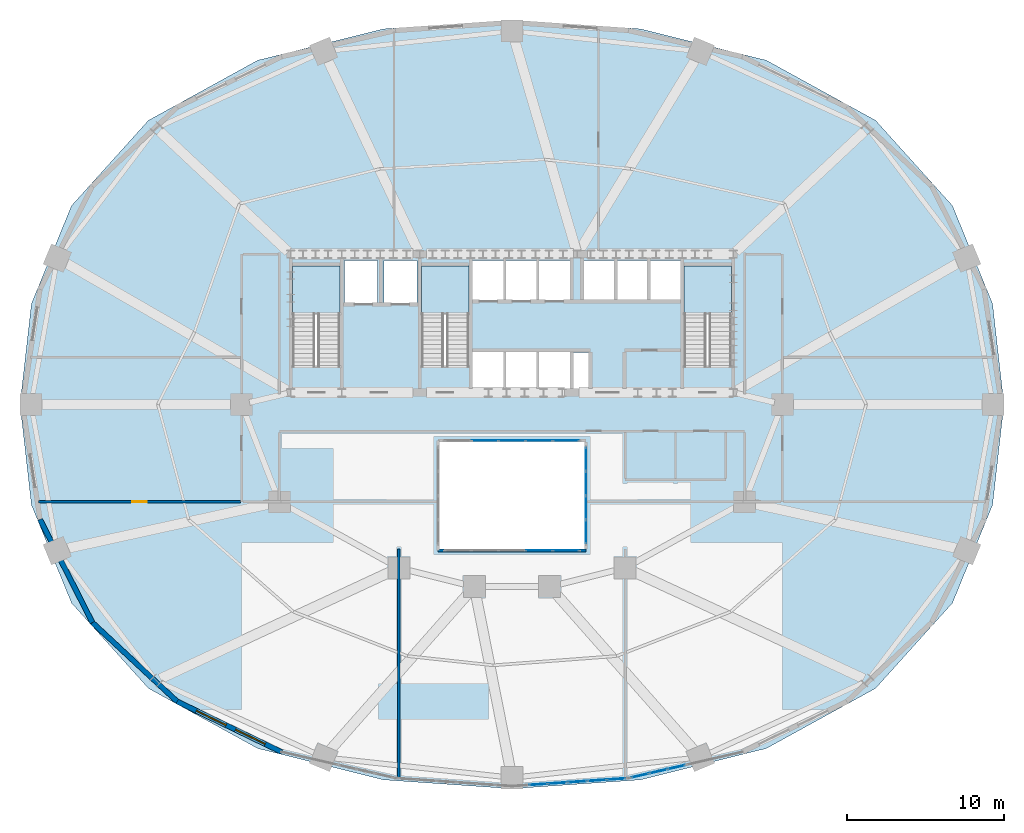
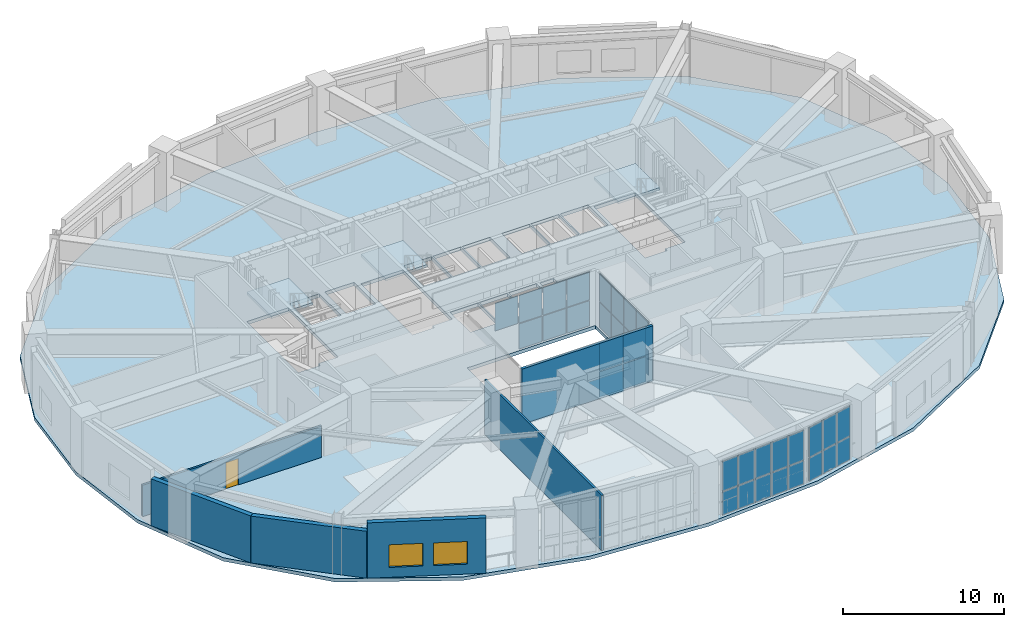
# One storey, part 8 of 13: 35 plates, 6 walls, 4 slabs, 2 windows, 1 door, 3 openings, 8 elements without a shape of their own.
"""IFC4 building model written with IfcOpenShell, lengths in metres."""

from ifc_helpers import new_model, si_unit, direction, frame, frame_2d, origin, origin_2d, place, context, subcontext, project, spatial, polyline, rectangle, outline, extrude, material, layer, layer_set, type_object, element, fill, aggregate, save


model = new_model("IFC4")

# Units and contexts
model_context = context("Model", 3, precision=1e-05, world=origin(), true_north=direction((0.0, 1.0)))
body_context = subcontext(model_context, "Body", "Model", "MODEL_VIEW")
ifc_project = project(units=[si_unit("LENGTHUNIT", "METRE"), si_unit("AREAUNIT", "SQUARE_METRE"), si_unit("VOLUMEUNIT", "CUBIC_METRE"), si_unit("PLANEANGLEUNIT", "RADIAN"), si_unit("MASSUNIT", "GRAM", prefix="KILO")], contexts=[model_context])

# Site, building, storey
site_placement = place(None, origin())
site = spatial("IfcSite", under=ifc_project, at=site_placement, CompositionType="ELEMENT")
building_placement = place(site_placement, origin())
building = spatial("IfcBuilding", under=site, at=building_placement, Name="Haldorwick Loom Tower", CompositionType="ELEMENT")
storey_placement = place(building_placement, frame((0.0, 0.0, 72.300048828125)))
storey = spatial("IfcBuildingStorey", under=building, at=storey_placement, Name="L19", CompositionType="ELEMENT", Elevation=72.300048828125)

# Curtain wall, plates
ifc_material_1 = material(Name="Thermally Broken Anodized Aluminium Curtain Wall Framing", Category="aluminium")
curtain_wall_type_1 = type_object("IfcCurtainWallType", Name="ARC-CW-03", PredefinedType="NOTDEFINED", material=ifc_material_1)
curtain_wall_1_placement = place(storey_placement, origin())
curtain_wall_1 = element("IfcCurtainWall", 1, at=curtain_wall_1_placement, inside=storey, type_object=curtain_wall_type_1, Name="L19 Atrium Glazed Screen S", PredefinedType="NOTDEFINED")
ifc_material_2 = material(Name="Triple-Glazed Low-E Argon Insulated Glazing Unit", Category="glass")
ifc_layer_1 = layer(ifc_material_2, 0.04296875, Name="Triple-Glazed Low-E Argon Insulated Glazing Unit", Category="glass")
ifc_layer_set_1 = layer_set([ifc_layer_1], Name="Triple-Glazed Low-E Argon Insulated Glazing Unit")
plate_type_1 = type_object("IfcPlateType", Name="ARC-CWP-03", PredefinedType="CURTAIN_PANEL", material=ifc_layer_set_1)
plate_1_placement = place(storey_placement, frame((39.423583984375, 16.699951171875, 0.06591796875), z_axis=(0.0, 0.0, 1.0), x_axis=(-1.0, 0.0, 0.0)))
plate_1 = element("IfcPlate", 2, at=plate_1_placement, type_object=plate_type_1, Name="CW-03 panel 1.1", PredefinedType="CURTAIN_PANEL", context=body_context, shape_type="SweptSolid", body=[
    extrude(rectangle(XDim=1.62109375, YDim=0.04296875, at=origin_2d()), origin(), (0.0, 0.0, 1.0), 1.90087890625),
])
plate_2_placement = place(storey_placement, frame((39.423583984375, 16.699951171875, 2.032958984375), z_axis=(0.0, 0.0, 1.0), x_axis=(-1.0, 0.0, 0.0)))
plate_2 = element("IfcPlate", 3, at=plate_2_placement, type_object=plate_type_1, Name="CW-03 panel 1.2", PredefinedType="CURTAIN_PANEL", context=body_context, shape_type="SweptSolid", body=[
    extrude(rectangle(XDim=1.62109375, YDim=0.04296875, at=origin_2d()), origin(), (0.0, 0.0, 1.0), 2.10107421875),
])
plate_3_placement = place(storey_placement, frame((37.719970703125, 16.699951171875, 0.06591796875), z_axis=(0.0, 0.0, 1.0), x_axis=(-1.0, 0.0, 0.0)))
plate_3 = element("IfcPlate", 4, at=plate_3_placement, type_object=plate_type_1, Name="CW-03 panel 2.1", PredefinedType="CURTAIN_PANEL", context=body_context, shape_type="SweptSolid", body=[
    extrude(rectangle(XDim=1.654052734375, YDim=0.04296875, at=origin_2d()), origin(), (0.0, 0.0, 1.0), 1.90087890625),
])
plate_4_placement = place(storey_placement, frame((37.719970703125, 16.699951171875, 2.032958984375), z_axis=(0.0, 0.0, 1.0), x_axis=(-1.0, 0.0, 0.0)))
plate_4 = element("IfcPlate", 5, at=plate_4_placement, type_object=plate_type_1, Name="CW-03 panel 2.2", PredefinedType="CURTAIN_PANEL", context=body_context, shape_type="SweptSolid", body=[
    extrude(rectangle(XDim=1.654052734375, YDim=0.04296875, at=origin_2d()), origin(), (0.0, 0.0, 1.0), 2.10107421875),
])
aggregate(curtain_wall_1, [plate_1, plate_2, plate_3, plate_4])

curtain_wall_2_placement = place(storey_placement, origin())
curtain_wall_2 = element("IfcCurtainWall", 6, at=curtain_wall_2_placement, inside=storey, type_object=curtain_wall_type_1, Name="L19 Atrium Glazed Screen N", PredefinedType="NOTDEFINED")
plate_5_placement = place(storey_placement, frame((34.280029296875, 23.699951171875, 2.032958984375), z_axis=(0.0, 0.0, 1.0), x_axis=(1.0, 0.0, 0.0)))
plate_5 = element("IfcPlate", 7, at=plate_5_placement, type_object=plate_type_1, Name="CW-03 panel 2.2", PredefinedType="CURTAIN_PANEL", context=body_context, shape_type="SweptSolid", body=[
    extrude(rectangle(XDim=1.654052734375, YDim=0.04296875, at=origin_2d()), origin(), (0.0, 0.0, 1.0), 2.10107421875),
])
plate_6_placement = place(storey_placement, frame((36.0, 23.699951171875, 0.06591796875), z_axis=(0.0, 0.0, 1.0), x_axis=(1.0, 0.0, 0.0)))
plate_6 = element("IfcPlate", 8, at=plate_6_placement, type_object=plate_type_1, Name="CW-03 panel 3.1", PredefinedType="CURTAIN_PANEL", context=body_context, shape_type="SweptSolid", body=[
    extrude(rectangle(XDim=1.654052734375, YDim=0.04296875, at=origin_2d()), origin(), (0.0, 0.0, 1.0), 1.90087890625),
])
plate_7_placement = place(storey_placement, frame((36.0, 23.699951171875, 2.032958984375), z_axis=(0.0, 0.0, 1.0), x_axis=(1.0, 0.0, 0.0)))
plate_7 = element("IfcPlate", 9, at=plate_7_placement, type_object=plate_type_1, Name="CW-03 panel 3.2", PredefinedType="CURTAIN_PANEL", context=body_context, shape_type="SweptSolid", body=[
    extrude(rectangle(XDim=1.654052734375, YDim=0.04296875, at=origin_2d()), origin(), (0.0, 0.0, 1.0), 2.10107421875),
])
plate_8_placement = place(storey_placement, frame((37.719970703125, 23.699951171875, 0.06591796875), z_axis=(0.0, 0.0, 1.0), x_axis=(1.0, 0.0, 0.0)))
plate_8 = element("IfcPlate", 10, at=plate_8_placement, type_object=plate_type_1, Name="CW-03 panel 4.1", PredefinedType="CURTAIN_PANEL", context=body_context, shape_type="SweptSolid", body=[
    extrude(rectangle(XDim=1.654052734375, YDim=0.04296875, at=origin_2d()), origin(), (0.0, 0.0, 1.0), 1.90087890625),
])
plate_9_placement = place(storey_placement, frame((37.719970703125, 23.699951171875, 2.032958984375), z_axis=(0.0, 0.0, 1.0), x_axis=(1.0, 0.0, 0.0)))
plate_9 = element("IfcPlate", 11, at=plate_9_placement, type_object=plate_type_1, Name="CW-03 panel 4.2", PredefinedType="CURTAIN_PANEL", context=body_context, shape_type="SweptSolid", body=[
    extrude(rectangle(XDim=1.654052734375, YDim=0.04296875, at=origin_2d()), origin(), (0.0, 0.0, 1.0), 2.10107421875),
])
plate_10_placement = place(storey_placement, frame((39.423583984375, 23.699951171875, 0.06591796875), z_axis=(0.0, 0.0, 1.0), x_axis=(1.0, 0.0, 0.0)))
plate_10 = element("IfcPlate", 12, at=plate_10_placement, type_object=plate_type_1, Name="CW-03 panel 5.1", PredefinedType="CURTAIN_PANEL", context=body_context, shape_type="SweptSolid", body=[
    extrude(rectangle(XDim=1.62109375, YDim=0.04296875, at=origin_2d()), origin(), (0.0, 0.0, 1.0), 1.90087890625),
])
plate_11_placement = place(storey_placement, frame((39.423583984375, 23.699951171875, 2.032958984375), z_axis=(0.0, 0.0, 1.0), x_axis=(1.0, 0.0, 0.0)))
plate_11 = element("IfcPlate", 13, at=plate_11_placement, type_object=plate_type_1, Name="CW-03 panel 5.2", PredefinedType="CURTAIN_PANEL", context=body_context, shape_type="SweptSolid", body=[
    extrude(rectangle(XDim=1.62109375, YDim=0.04296875, at=origin_2d()), origin(), (0.0, 0.0, 1.0), 2.10107421875),
])
aggregate(curtain_wall_2, [plate_5, plate_6, plate_7, plate_8, plate_9, plate_10, plate_11])

curtain_wall_3_placement = place(storey_placement, origin())
curtain_wall_3 = element("IfcCurtainWall", 14, at=curtain_wall_3_placement, inside=storey, type_object=curtain_wall_type_1, Name="L19 Atrium Glazed Screen E", PredefinedType="NOTDEFINED")
plate_12_placement = place(storey_placement, frame((40.699951171875, 22.508544921875, 0.06591796875), z_axis=(0.0, 0.0, 1.0), x_axis=(0.0, -1.0, 0.0)))
plate_12 = element("IfcPlate", 15, at=plate_12_placement, type_object=plate_type_1, Name="CW-03 panel 1.1", PredefinedType="CURTAIN_PANEL", context=body_context, shape_type="SweptSolid", body=[
    extrude(rectangle(XDim=1.450927734375, YDim=0.04296875, at=origin_2d()), origin(), (0.0, 0.0, 1.0), 1.90087890625),
])
plate_13_placement = place(storey_placement, frame((40.699951171875, 22.508544921875, 2.032958984375), z_axis=(0.0, 0.0, 1.0), x_axis=(0.0, -1.0, 0.0)))
plate_13 = element("IfcPlate", 16, at=plate_13_placement, type_object=plate_type_1, Name="CW-03 panel 1.2", PredefinedType="CURTAIN_PANEL", context=body_context, shape_type="SweptSolid", body=[
    extrude(rectangle(XDim=1.450927734375, YDim=0.04296875, at=origin_2d()), origin(), (0.0, 0.0, 1.0), 2.10107421875),
])
plate_14_placement = place(storey_placement, frame((40.699951171875, 20.97509765625, 0.06591796875), z_axis=(0.0, 0.0, 1.0), x_axis=(0.0, -1.0, 0.0)))
plate_14 = element("IfcPlate", 17, at=plate_14_placement, type_object=plate_type_1, Name="CW-03 panel 2.1", PredefinedType="CURTAIN_PANEL", context=body_context, shape_type="SweptSolid", body=[
    extrude(rectangle(XDim=1.48388671875, YDim=0.04296875, at=origin_2d()), origin(), (0.0, 0.0, 1.0), 1.90087890625),
])
plate_15_placement = place(storey_placement, frame((40.699951171875, 20.97509765625, 2.032958984375), z_axis=(0.0, 0.0, 1.0), x_axis=(0.0, -1.0, 0.0)))
plate_15 = element("IfcPlate", 18, at=plate_15_placement, type_object=plate_type_1, Name="CW-03 panel 2.2", PredefinedType="CURTAIN_PANEL", context=body_context, shape_type="SweptSolid", body=[
    extrude(rectangle(XDim=1.48388671875, YDim=0.04296875, at=origin_2d()), origin(), (0.0, 0.0, 1.0), 2.10107421875),
])
plate_16_placement = place(storey_placement, frame((40.699951171875, 19.425048828125, 0.06591796875), z_axis=(0.0, 0.0, 1.0), x_axis=(0.0, -1.0, 0.0)))
plate_16 = element("IfcPlate", 19, at=plate_16_placement, type_object=plate_type_1, Name="CW-03 panel 3.1", PredefinedType="CURTAIN_PANEL", context=body_context, shape_type="SweptSolid", body=[
    extrude(rectangle(XDim=1.48388671875, YDim=0.04296875, at=origin_2d()), origin(), (0.0, 0.0, 1.0), 1.90087890625),
])
plate_17_placement = place(storey_placement, frame((40.699951171875, 19.425048828125, 2.032958984375), z_axis=(0.0, 0.0, 1.0), x_axis=(0.0, -1.0, 0.0)))
plate_17 = element("IfcPlate", 20, at=plate_17_placement, type_object=plate_type_1, Name="CW-03 panel 3.2", PredefinedType="CURTAIN_PANEL", context=body_context, shape_type="SweptSolid", body=[
    extrude(rectangle(XDim=1.48388671875, YDim=0.04296875, at=origin_2d()), origin(), (0.0, 0.0, 1.0), 2.10107421875),
])
plate_18_placement = place(storey_placement, frame((40.699951171875, 17.8916015625, 0.06591796875), z_axis=(0.0, 0.0, 1.0), x_axis=(0.0, -1.0, 0.0)))
plate_18 = element("IfcPlate", 21, at=plate_18_placement, type_object=plate_type_1, Name="CW-03 panel 4.1", PredefinedType="CURTAIN_PANEL", context=body_context, shape_type="SweptSolid", body=[
    extrude(rectangle(XDim=1.450927734375, YDim=0.04296875, at=origin_2d()), origin(), (0.0, 0.0, 1.0), 1.90087890625),
])
plate_19_placement = place(storey_placement, frame((40.699951171875, 17.8916015625, 2.032958984375), z_axis=(0.0, 0.0, 1.0), x_axis=(0.0, -1.0, 0.0)))
plate_19 = element("IfcPlate", 22, at=plate_19_placement, type_object=plate_type_1, Name="CW-03 panel 4.2", PredefinedType="CURTAIN_PANEL", context=body_context, shape_type="SweptSolid", body=[
    extrude(rectangle(XDim=1.450927734375, YDim=0.04296875, at=origin_2d()), origin(), (0.0, 0.0, 1.0), 2.10107421875),
])
aggregate(curtain_wall_3, [plate_12, plate_13, plate_14, plate_15, plate_16, plate_17, plate_18, plate_19])

curtain_wall_type_2 = type_object("IfcCurtainWallType", Name="ARC-CW-05", PredefinedType="NOTDEFINED", material=ifc_material_1)
curtain_wall_4_placement = place(storey_placement, origin())
curtain_wall_4 = element("IfcCurtainWall", 23, at=curtain_wall_4_placement, inside=storey, type_object=curtain_wall_type_2, Name="L19 Facade Curtain Wall CW-05 Bay 19", PredefinedType="NOTDEFINED")
ifc_layer_2 = layer(ifc_material_2, 0.049072265625, Name="Triple-Glazed Low-E Argon Insulated Glazing Unit", Category="glass")
ifc_layer_set_2 = layer_set([ifc_layer_2], Name="Triple-Glazed Low-E Argon Insulated Glazing Unit")
plate_type_2 = type_object("IfcPlateType", Name="ARC-CWP-05", PredefinedType="CURTAIN_PANEL", material=ifc_layer_set_2)
plate_20_placement = place(storey_placement, frame((37.67529296875, 1.8251953125, 0.06787109375), z_axis=(0.0, 0.0, 1.0), x_axis=(0.997644995128, 0.068589093134, 0.0)))
plate_20 = element("IfcPlate", 24, at=plate_20_placement, type_object=plate_type_2, Name="CW-05 panel 1.1", PredefinedType="CURTAIN_PANEL", context=body_context, shape_type="SweptSolid", body=[
    extrude(rectangle(XDim=1.1484375, YDim=0.049072265625, at=origin_2d()), origin(), (0.0, 0.0, 1.0), 1.748046875),
])
plate_21_placement = place(storey_placement, frame((37.67529296875, 1.8251953125, 1.884033203125), z_axis=(0.0, 0.0, 1.0), x_axis=(0.997644995128, 0.068589093134, 0.0)))
plate_21 = element("IfcPlate", 25, at=plate_21_placement, type_object=plate_type_2, Name="CW-05 panel 1.2", PredefinedType="CURTAIN_PANEL", context=body_context, shape_type="SweptSolid", body=[
    extrude(rectangle(XDim=1.1484375, YDim=0.049072265625, at=origin_2d()), origin(), (0.0, 0.0, 1.0), 2.248046875),
])
plate_22_placement = place(storey_placement, frame((38.90576171875, 1.90966796875, 0.06787109375), z_axis=(0.0, 0.0, 1.0), x_axis=(0.997644995128, 0.068589093134, 0.0)))
plate_22 = element("IfcPlate", 26, at=plate_22_placement, type_object=plate_type_2, Name="CW-05 panel 2.1", PredefinedType="CURTAIN_PANEL", context=body_context, shape_type="SweptSolid", body=[
    extrude(rectangle(XDim=1.182373046875, YDim=0.049072265625, at=origin_2d()), origin(), (0.0, 0.0, 1.0), 1.748046875),
])
plate_23_placement = place(storey_placement, frame((38.90576171875, 1.90966796875, 1.884033203125), z_axis=(0.0, 0.0, 1.0), x_axis=(0.997644995128, 0.068589093134, 0.0)))
plate_23 = element("IfcPlate", 27, at=plate_23_placement, type_object=plate_type_2, Name="CW-05 panel 2.2", PredefinedType="CURTAIN_PANEL", context=body_context, shape_type="SweptSolid", body=[
    extrude(rectangle(XDim=1.182373046875, YDim=0.049072265625, at=origin_2d()), origin(), (0.0, 0.0, 1.0), 2.248046875),
])
plate_24_placement = place(storey_placement, frame((40.153076171875, 1.99560546875, 0.06787109375), z_axis=(0.0, 0.0, 1.0), x_axis=(0.997644995128, 0.068589093134, 0.0)))
plate_24 = element("IfcPlate", 28, at=plate_24_placement, type_object=plate_type_2, Name="CW-05 panel 3.1", PredefinedType="CURTAIN_PANEL", context=body_context, shape_type="SweptSolid", body=[
    extrude(rectangle(XDim=1.182373046875, YDim=0.049072265625, at=origin_2d()), origin(), (0.0, 0.0, 1.0), 1.748046875),
])
plate_25_placement = place(storey_placement, frame((40.153076171875, 1.99560546875, 1.884033203125), z_axis=(0.0, 0.0, 1.0), x_axis=(0.997644995128, 0.068589093134, 0.0)))
plate_25 = element("IfcPlate", 29, at=plate_25_placement, type_object=plate_type_2, Name="CW-05 panel 3.2", PredefinedType="CURTAIN_PANEL", context=body_context, shape_type="SweptSolid", body=[
    extrude(rectangle(XDim=1.182373046875, YDim=0.049072265625, at=origin_2d()), origin(), (0.0, 0.0, 1.0), 2.248046875),
])
plate_26_placement = place(storey_placement, frame((41.400390625, 2.081298828125, 0.06787109375), z_axis=(0.0, 0.0, 1.0), x_axis=(0.997644995128, 0.068589093134, 0.0)))
plate_26 = element("IfcPlate", 30, at=plate_26_placement, type_object=plate_type_2, Name="CW-05 panel 4.1", PredefinedType="CURTAIN_PANEL", context=body_context, shape_type="SweptSolid", body=[
    extrude(rectangle(XDim=1.182373046875, YDim=0.049072265625, at=origin_2d()), origin(), (0.0, 0.0, 1.0), 1.748046875),
])
plate_27_placement = place(storey_placement, frame((41.400390625, 2.081298828125, 1.884033203125), z_axis=(0.0, 0.0, 1.0), x_axis=(0.997644995128, 0.068589093134, 0.0)))
plate_27 = element("IfcPlate", 31, at=plate_27_placement, type_object=plate_type_2, Name="CW-05 panel 4.2", PredefinedType="CURTAIN_PANEL", context=body_context, shape_type="SweptSolid", body=[
    extrude(rectangle(XDim=1.182373046875, YDim=0.049072265625, at=origin_2d()), origin(), (0.0, 0.0, 1.0), 2.248046875),
])
plate_28_placement = place(storey_placement, frame((42.630859375, 2.165771484375, 0.06787109375), z_axis=(0.0, 0.0, 1.0), x_axis=(0.997644995128, 0.068589093134, 0.0)))
plate_28 = element("IfcPlate", 32, at=plate_28_placement, type_object=plate_type_2, Name="CW-05 panel 5.1", PredefinedType="CURTAIN_PANEL", context=body_context, shape_type="SweptSolid", body=[
    extrude(rectangle(XDim=1.1484375, YDim=0.049072265625, at=origin_2d()), origin(), (0.0, 0.0, 1.0), 1.748046875),
])
plate_29_placement = place(storey_placement, frame((42.630859375, 2.165771484375, 1.884033203125), z_axis=(0.0, 0.0, 1.0), x_axis=(0.997644995128, 0.068589093134, 0.0)))
plate_29 = element("IfcPlate", 33, at=plate_29_placement, type_object=plate_type_2, Name="CW-05 panel 5.2", PredefinedType="CURTAIN_PANEL", context=body_context, shape_type="SweptSolid", body=[
    extrude(rectangle(XDim=1.1484375, YDim=0.049072265625, at=origin_2d()), origin(), (0.0, 0.0, 1.0), 2.248046875),
])
aggregate(curtain_wall_4, [plate_20, plate_21, plate_22, plate_23, plate_24, plate_25, plate_26, plate_27, plate_28, plate_29])

curtain_wall_5_placement = place(storey_placement, origin())
curtain_wall_5 = element("IfcCurtainWall", 34, at=curtain_wall_5_placement, inside=storey, type_object=curtain_wall_type_2, Name="L19 Facade Curtain Wall CW-05 Bay 20", PredefinedType="NOTDEFINED")
plate_30_placement = place(storey_placement, frame((44.150390625, 2.3896484375, 0.06787109375), z_axis=(0.0, 0.0, 1.0), x_axis=(0.974522731256, 0.224288756442, 0.0)))
plate_30 = element("IfcPlate", 35, at=plate_30_placement, type_object=plate_type_2, Name="CW-05 panel 1.1", PredefinedType="CURTAIN_PANEL", context=body_context, shape_type="SweptSolid", body=[
    extrude(rectangle(XDim=1.100830078125, YDim=0.049072265625, at=origin_2d()), origin(), (0.0, 0.0, 1.0), 1.748046875),
])
plate_31_placement = place(storey_placement, frame((44.150390625, 2.3896484375, 1.884033203125), z_axis=(0.0, 0.0, 1.0), x_axis=(0.974522731256, 0.224288756442, 0.0)))
plate_31 = element("IfcPlate", 36, at=plate_31_placement, type_object=plate_type_2, Name="CW-05 panel 1.2", PredefinedType="CURTAIN_PANEL", context=body_context, shape_type="SweptSolid", body=[
    extrude(rectangle(XDim=1.100830078125, YDim=0.049072265625, at=origin_2d()), origin(), (0.0, 0.0, 1.0), 2.248046875),
])
plate_32_placement = place(storey_placement, frame((45.30615234375, 2.655517578125, 0.06787109375), z_axis=(0.0, 0.0, 1.0), x_axis=(0.974522731256, 0.224288756442, 0.0)))
plate_32 = element("IfcPlate", 37, at=plate_32_placement, type_object=plate_type_2, Name="CW-05 panel 2.1", PredefinedType="CURTAIN_PANEL", context=body_context, shape_type="SweptSolid", body=[
    extrude(rectangle(XDim=1.135009765625, YDim=0.049072265625, at=origin_2d()), origin(), (0.0, 0.0, 1.0), 1.748046875),
])
plate_33_placement = place(storey_placement, frame((45.30615234375, 2.655517578125, 1.884033203125), z_axis=(0.0, 0.0, 1.0), x_axis=(0.974522731256, 0.224288756442, 0.0)))
plate_33 = element("IfcPlate", 38, at=plate_33_placement, type_object=plate_type_2, Name="CW-05 panel 2.2", PredefinedType="CURTAIN_PANEL", context=body_context, shape_type="SweptSolid", body=[
    extrude(rectangle(XDim=1.135009765625, YDim=0.049072265625, at=origin_2d()), origin(), (0.0, 0.0, 1.0), 2.248046875),
])
plate_34_placement = place(storey_placement, frame((46.4619140625, 2.921630859375, 0.06787109375), z_axis=(0.0, 0.0, 1.0), x_axis=(0.974522731256, 0.224288756442, 0.0)))
plate_34 = element("IfcPlate", 39, at=plate_34_placement, type_object=plate_type_2, Name="CW-05 panel 3.1", PredefinedType="CURTAIN_PANEL", context=body_context, shape_type="SweptSolid", body=[
    extrude(rectangle(XDim=1.100830078125, YDim=0.049072265625, at=origin_2d()), origin(), (0.0, 0.0, 1.0), 1.748046875),
])
plate_35_placement = place(storey_placement, frame((46.4619140625, 2.921630859375, 1.884033203125), z_axis=(0.0, 0.0, 1.0), x_axis=(0.974522731256, 0.224288756442, 0.0)))
plate_35 = element("IfcPlate", 40, at=plate_35_placement, type_object=plate_type_2, Name="CW-05 panel 3.2", PredefinedType="CURTAIN_PANEL", context=body_context, shape_type="SweptSolid", body=[
    extrude(rectangle(XDim=1.100830078125, YDim=0.049072265625, at=origin_2d()), origin(), (0.0, 0.0, 1.0), 2.248046875),
])
aggregate(curtain_wall_5, [plate_30, plate_31, plate_32, plate_33, plate_34, plate_35])

# Slab
ifc_material_3 = material(Name="Concrete C40 (40 MPa)", Category="concrete")
ifc_layer_3 = layer(ifc_material_3, 0.260009765625, Name="Concrete C40 (40 MPa)", Category="concrete")
ifc_layer_set_3 = layer_set([ifc_layer_3], Name="Concrete C40 (40 MPa)")
slab_type_1 = type_object("IfcSlabType", Name="STR-SLB-COMM260", PredefinedType="FLOOR", material=ifc_layer_set_3)
slab_1_placement = place(storey_placement, frame((0.0, 0.0, -0.260009765625)))
element("IfcSlab", 41, at=slab_1_placement, inside=storey, type_object=slab_type_1, Name="L19 Community Sky-Floor Slab", PredefinedType="FLOOR", context=body_context, shape_type="SweptSolid", body=[
    extrude(outline(polyline([(59.125244140625, 7.933349609375), (64.017578125, 13.362548828125), (66.569580078125, 19.6005859375), (67.2958984375, 26.0), (66.569580078125, 32.3994140625), (64.017578125, 38.637451171875), (59.125244140625, 44.066650390625), (52.176025390625, 47.888916015625), (44.191162109375, 49.882568359375), (36.0, 50.449951171875), (27.808837890625, 49.882568359375), (19.823974609375, 47.888916015625), (12.874755859375, 44.066650390625), (7.982421875, 38.637451171875), (5.430419921875, 32.3994140625), (4.7041015625, 26.0), (5.430419921875, 19.6005859375), (7.982421875, 13.362548828125), (12.874755859375, 7.933349609375), (19.823974609375, 4.111083984375), (27.808837890625, 2.117431640625), (36.0, 1.550048828125), (44.191162109375, 2.117431640625), (52.176025390625, 4.111083984375), (59.125244140625, 7.933349609375)]), holes=[polyline([(31.39990234375, 23.60009765625), (40.60009765625, 23.60009765625), (40.60009765625, 16.800048828125), (31.39990234375, 16.800048828125), (31.39990234375, 23.60009765625)]), polyline([(33.5, 26.85009765625), (33.5, 29.35009765625), (35.5, 29.35009765625), (35.5, 26.85009765625), (33.5, 26.85009765625)]), polyline([(22.050048828125, 28.39990234375), (22.050048828125, 34.800048828125), (25.050048828125, 34.800048828125), (25.050048828125, 28.639892578125), (23.6201171875, 28.639892578125), (23.6201171875, 28.39990234375), (22.050048828125, 28.39990234375)]), polyline([(30.25, 28.39990234375), (30.25, 34.800048828125), (33.25, 34.800048828125), (33.25, 28.639892578125), (31.820068359375, 28.639892578125), (31.820068359375, 28.39990234375), (30.25, 28.39990234375)]), polyline([(25.35009765625, 32.449951171875), (25.35009765625, 35.14990234375), (27.449951171875, 35.14990234375), (27.449951171875, 32.449951171875), (25.35009765625, 32.449951171875)]), polyline([(27.85009765625, 32.449951171875), (27.85009765625, 35.14990234375), (29.949951171875, 35.14990234375), (29.949951171875, 32.449951171875), (27.85009765625, 32.449951171875)]), polyline([(33.5, 32.64990234375), (33.5, 35.14990234375), (35.5, 35.14990234375), (35.5, 32.64990234375), (33.5, 32.64990234375)]), polyline([(35.60009765625, 32.64990234375), (35.60009765625, 35.14990234375), (37.60009765625, 35.14990234375), (37.60009765625, 32.64990234375), (35.60009765625, 32.64990234375)]), polyline([(35.60009765625, 26.85009765625), (35.60009765625, 29.35009765625), (37.60009765625, 29.35009765625), (37.60009765625, 26.85009765625), (35.60009765625, 26.85009765625)]), polyline([(37.699951171875, 26.85009765625), (37.699951171875, 29.35009765625), (39.699951171875, 29.35009765625), (39.699951171875, 26.85009765625), (37.699951171875, 26.85009765625)]), polyline([(39.89990234375, 26.89990234375), (39.89990234375, 29.300048828125), (40.89990234375, 29.300048828125), (40.89990234375, 26.89990234375), (39.89990234375, 26.89990234375)]), polyline([(46.949951171875, 28.39990234375), (46.949951171875, 34.800048828125), (49.949951171875, 34.800048828125), (49.949951171875, 28.639892578125), (48.52001953125, 28.639892578125), (48.52001953125, 28.39990234375), (46.949951171875, 28.39990234375)]), polyline([(37.699951171875, 32.64990234375), (37.699951171875, 35.14990234375), (39.699951171875, 35.14990234375), (39.699951171875, 32.64990234375), (37.699951171875, 32.64990234375)]), polyline([(40.550048828125, 32.64990234375), (40.550048828125, 35.14990234375), (42.550048828125, 35.14990234375), (42.550048828125, 32.64990234375), (40.550048828125, 32.64990234375)]), polyline([(42.64990234375, 32.64990234375), (42.64990234375, 35.14990234375), (44.64990234375, 35.14990234375), (44.64990234375, 32.64990234375), (42.64990234375, 32.64990234375)]), polyline([(44.75, 32.64990234375), (44.75, 35.14990234375), (46.75, 35.14990234375), (46.75, 32.64990234375), (44.75, 32.64990234375)])]), origin(), (0.0, 0.0, 1.0), 0.260009765625),
])

# Stair, slab
stair_type = type_object("IfcStairType", Name="STR-STR-CORE", PredefinedType="HALF_TURN_STAIR", material=ifc_material_3)
stair_1_placement = place(storey_placement, origin())
stair_1 = element("IfcStair", 42, at=stair_1_placement, inside=storey, type_object=stair_type, Name="L19 Exit Stair ST-01", PredefinedType="HALF_TURN_STAIR")
ifc_layer_4 = layer(ifc_material_3, 0.199951171875, Name="Concrete C40 (40 MPa)", Category="concrete")
ifc_layer_set_4 = layer_set([ifc_layer_4], Name="Concrete C40 (40 MPa)")
slab_type_2 = type_object("IfcSlabType", Name="STR-SLB-LAND200", PredefinedType="LANDING", material=ifc_layer_set_4)
slab_2_placement = place(storey_placement, frame((0.0, 0.0, 2.050048828125)))
slab_2 = element("IfcSlab", 43, at=slab_2_placement, type_object=slab_type_2, Name="ST-01 landing 1", PredefinedType="LANDING", context=body_context, shape_type="SweptSolid", body=[
    extrude(outline(polyline([(25.050048828125, 31.760009765625), (25.050048828125, 34.800048828125), (22.050048828125, 34.800048828125), (22.050048828125, 31.760009765625), (25.050048828125, 31.760009765625)])), origin(), (0.0, 0.0, 1.0), 0.199951171875),
])
aggregate(stair_1, [slab_2])

stair_2_placement = place(storey_placement, origin())
stair_2 = element("IfcStair", 44, at=stair_2_placement, inside=storey, type_object=stair_type, Name="L19 Exit Stair ST-02", PredefinedType="HALF_TURN_STAIR")
slab_3_placement = place(storey_placement, frame((0.0, 0.0, 2.050048828125)))
slab_3 = element("IfcSlab", 45, at=slab_3_placement, type_object=slab_type_2, Name="ST-02 landing 1", PredefinedType="LANDING", context=body_context, shape_type="SweptSolid", body=[
    extrude(outline(polyline([(49.949951171875, 31.760009765625), (49.949951171875, 34.800048828125), (46.949951171875, 34.800048828125), (46.949951171875, 31.760009765625), (49.949951171875, 31.760009765625)])), origin(), (0.0, 0.0, 1.0), 0.199951171875),
])
aggregate(stair_2, [slab_3])

stair_3_placement = place(storey_placement, origin())
stair_3 = element("IfcStair", 46, at=stair_3_placement, inside=storey, type_object=stair_type, Name="L19 Exit Stair ST-03", PredefinedType="HALF_TURN_STAIR")
slab_4_placement = place(storey_placement, frame((0.0, 0.0, 2.050048828125)))
slab_4 = element("IfcSlab", 47, at=slab_4_placement, type_object=slab_type_2, Name="ST-03 landing 1", PredefinedType="LANDING", context=body_context, shape_type="SweptSolid", body=[
    extrude(outline(polyline([(33.25, 31.760009765625), (33.25, 34.800048828125), (30.25, 34.800048828125), (30.25, 31.760009765625), (33.25, 31.760009765625)])), origin(), (0.0, 0.0, 1.0), 0.199951171875),
])
aggregate(stair_3, [slab_4])

# Walls
ifc_material_4 = material(Name="Pressed Clay Face Brick and Insulated Masonry Backup Assembly", Category="masonry")
ifc_layer_5 = layer(ifc_material_4, 0.320068359375, Name="Pressed Clay Face Brick and Insulated Masonry Backup Assembly", Category="masonry")
ifc_layer_set_5 = layer_set([ifc_layer_5], Name="Pressed Clay Face Brick and Insulated Masonry Backup Assembly")
wall_type_1 = type_object("IfcWallType", Name="ARC-WL-EXT320", PredefinedType="STANDARD", material=ifc_layer_set_5)
for number, where, z_axis, x_axis, name in (
    (48, (5.978271484375, 18.679443359375, 0.0), (0.0, 0.0, 1.0), (0.452950855928, -0.891535485617, 0.0), "L19 Brick Pier and Spandrel Wall 14"),
    (49, (9.311279296875, 12.119140625, 0.0), (0.0, 0.0, 1.0), (0.73176101237, -0.681561311091, 0.0), "L19 Brick Pier and Spandrel Wall 15"),
):
    element("IfcWall", number, at=place(storey_placement, frame(where, z_axis=z_axis, x_axis=x_axis)), inside=storey, type_object=wall_type_1, Name=name, PredefinedType="STANDARD", context=body_context, shape_type="SweptSolid", body=[
        extrude(rectangle(XDim=7.3583984375, YDim=0.320068359375, at=frame_2d((3.67919921875, 0.0))), origin(), (0.0, 0.0, 1.0), 3.558837890625),
    ])

# Wall, openings, windows
wall_1_placement = place(storey_placement, frame((14.69580078125, 7.10400390625, 0.0), z_axis=(0.0, 0.0, 1.0), x_axis=(0.900295710431, -0.435278800057, 0.0)))
wall_1 = element("IfcWall", 50, at=wall_1_placement, inside=storey, type_object=wall_type_1, Name="L19 Brick Pier and Spandrel Wall 16", PredefinedType="STANDARD", context=body_context, shape_type="SweptSolid", body=[
    extrude(rectangle(XDim=7.39697265625, YDim=0.320068359375, at=frame_2d((3.698486328125, 0.0))), origin(), (0.0, 0.0, 1.0), 4.199951171875),
])
opening_1_placement = place(wall_1_placement, frame((1.359375, 0.0, 0.75)))
opening_1 = element("IfcOpeningElement", 51, at=opening_1_placement, cuts=wall_1, Name="Opening W-04", PredefinedType="OPENING", context=body_context, shape_type="SweptSolid", body=[
    extrude(rectangle(XDim=2.10009765625, YDim=1.719970703125, at=frame_2d((1.050048828125, 0.85986328125))), frame((0.0, 0.169921875, 0.0), z_axis=(0.0, -1.0, 0.0), x_axis=(1.0, 0.0, 0.0)), (0.0, 0.0, 1.0), 0.340087890625),
])
opening_2_placement = place(wall_1_placement, frame((4.1279296875, 0.0, 0.75)))
opening_2 = element("IfcOpeningElement", 52, at=opening_2_placement, cuts=wall_1, Name="Opening W-04", PredefinedType="OPENING", context=body_context, shape_type="SweptSolid", body=[
    extrude(rectangle(XDim=2.10009765625, YDim=1.719970703125, at=frame_2d((1.050048828125, 0.85986328125))), frame((0.0, 0.169921875, 0.0), z_axis=(0.0, -1.0, 0.0), x_axis=(1.0, 0.0, 0.0)), (0.0, 0.0, 1.0), 0.340087890625),
])
window_type = type_object("IfcWindowType", Name="ARC-WIN-W210", PartitioningType="SINGLE_PANEL", PredefinedType="WINDOW", material=ifc_material_2)
window_1_placement = place(opening_1_placement, origin())
window_1 = element("IfcWindow", 53, at=window_1_placement, inside=storey, type_object=window_type, Name="L19 Deep-Set Zone 7A Window 16", OverallHeight=1.719970703125, OverallWidth=2.10009765625, PartitioningType="SINGLE_PANEL", PredefinedType="WINDOW", context=body_context, shape_type="SweptSolid", body=[
    extrude(rectangle(XDim=2.10009765625, YDim=1.719970703125, at=frame_2d((1.050048828125, 0.85986328125))), frame((0.0, 0.030029296875, 0.0), z_axis=(0.0, -1.0, 0.0), x_axis=(1.0, 0.0, 0.0)), (0.0, 0.0, 1.0), 0.06005859375),
])
fill(opening_1, window_1)
window_2_placement = place(opening_2_placement, origin())
window_2 = element("IfcWindow", 54, at=window_2_placement, inside=storey, type_object=window_type, Name="L19 Deep-Set Zone 7A Window 16", OverallHeight=1.719970703125, OverallWidth=2.10009765625, PartitioningType="SINGLE_PANEL", PredefinedType="WINDOW", context=body_context, shape_type="SweptSolid", body=[
    extrude(rectangle(XDim=2.10009765625, YDim=1.719970703125, at=frame_2d((1.050048828125, 0.85986328125))), frame((0.0, 0.030029296875, 0.0), z_axis=(0.0, -1.0, 0.0), x_axis=(1.0, 0.0, 0.0)), (0.0, 0.0, 1.0), 0.06005859375),
])
fill(opening_2, window_2)

# Walls
ifc_material_5 = material(Name="Fire-Rated Type X Gypsum Stud Assembly EI 120")
ifc_layer_6 = layer(ifc_material_5, 0.199951171875, Name="Fire-Rated Type X Gypsum Stud Assembly EI 120")
ifc_layer_set_6 = layer_set([ifc_layer_6], Name="Fire-Rated Type X Gypsum Stud Assembly EI 120")
wall_type_2 = type_object("IfcWallType", Name="ARC-WL-FIRE200", PredefinedType="PARTITIONING", material=ifc_layer_set_6)
wall_2_placement = place(storey_placement, frame((40.699951171875, 16.699951171875, 0.0), z_axis=(0.0, 0.0, 1.0), x_axis=(-1.0, 0.0, 0.0)))
element("IfcWall", 55, at=wall_2_placement, inside=storey, type_object=wall_type_2, Name="L19 Atrium Fire Wall", PredefinedType="PARTITIONING", context=body_context, shape_type="SweptSolid", body=[
    extrude(rectangle(XDim=9.39990234375, YDim=0.199951171875, at=frame_2d((4.699951171875, 0.0))), origin(), (0.0, 0.0, 1.0), 4.18505859375),
])
ifc_material_6 = material(Name="Fire-Rated Type X Gypsum Stud Assembly EI 60")
ifc_layer_7 = layer(ifc_material_6, 0.139892578125, Name="Fire-Rated Type X Gypsum Stud Assembly EI 60")
ifc_layer_set_7 = layer_set([ifc_layer_7], Name="Fire-Rated Type X Gypsum Stud Assembly EI 60")
wall_type_3 = type_object("IfcWallType", Name="ARC-WL-PART140", PredefinedType="PARTITIONING", material=ifc_layer_set_7)
wall_3_placement = place(storey_placement, frame((28.800048828125, 2.27001953125, 0.0), z_axis=(0.0, 0.0, 1.0), x_axis=(0.0, 1.0, 0.0)))
element("IfcWall", 56, at=wall_3_placement, inside=storey, type_object=wall_type_3, Name="L19 Interior Partition L19-S-0", PredefinedType="PARTITIONING", context=body_context, shape_type="SweptSolid", body=[
    extrude(rectangle(XDim=14.530029296875, YDim=0.139892578125, at=frame_2d((7.26513671875, 0.0))), origin(), (0.0, 0.0, 1.0), 4.18505859375),
])

# Wall, opening, door
wall_4_placement = place(storey_placement, frame((5.873291015625, 19.800048828125, 0.0), z_axis=(0.0, 0.0, 1.0), x_axis=(1.0, 0.0, 0.0)))
wall_4 = element("IfcWall", 57, at=wall_4_placement, inside=storey, type_object=wall_type_3, Name="L19 Interior Partition L19-WL-S", PredefinedType="PARTITIONING", context=body_context, shape_type="SweptSolid", body=[
    extrude(rectangle(XDim=12.84375, YDim=0.139892578125, at=frame_2d((6.421875, 0.0))), origin(), (0.0, 0.0, 1.0), 2.375),
])
opening_3_placement = place(wall_4_placement, frame((5.981689453125, 0.0, 0.0)))
opening_3 = element("IfcOpeningElement", 58, at=opening_3_placement, cuts=wall_4, Name="Opening D-FD60A", PredefinedType="OPENING", context=body_context, shape_type="SweptSolid", body=[
    extrude(rectangle(XDim=0.89990234375, YDim=2.0, at=frame_2d((0.449951171875, 1.0))), frame((0.0, 0.079833984375, 0.0), z_axis=(0.0, -1.0, 0.0), x_axis=(1.0, 0.0, 0.0)), (0.0, 0.0, 1.0), 0.159912109375),
])
ifc_material_7 = material(Name="Hollow Steel Fire Door Assembly", Category="steel")
door_type = type_object("IfcDoorType", Name="ARC-DR-FD60-90", OperationType="NOTDEFINED", PredefinedType="DOOR", material=ifc_material_7)
door_placement = place(opening_3_placement, origin())
door = element("IfcDoor", 59, at=door_placement, inside=storey, type_object=door_type, Name="L19 Parent Advisory Office 5 to Childcare Classroom 1 Door", OperationType="SINGLE_SWING_LEFT", OverallHeight=2.0, OverallWidth=0.89990234375, PredefinedType="DOOR", context=body_context, shape_type="SweptSolid", body=[
    extrude(rectangle(XDim=0.89990234375, YDim=2.0, at=frame_2d((0.449951171875, 1.0))), frame((0.0, 0.02490234375, 0.0), z_axis=(0.0, -1.0, 0.0), x_axis=(1.0, 0.0, 0.0)), (0.0, 0.0, 1.0), 0.050048828125),
])
fill(opening_3, door)

save(model, "model.ifc")
